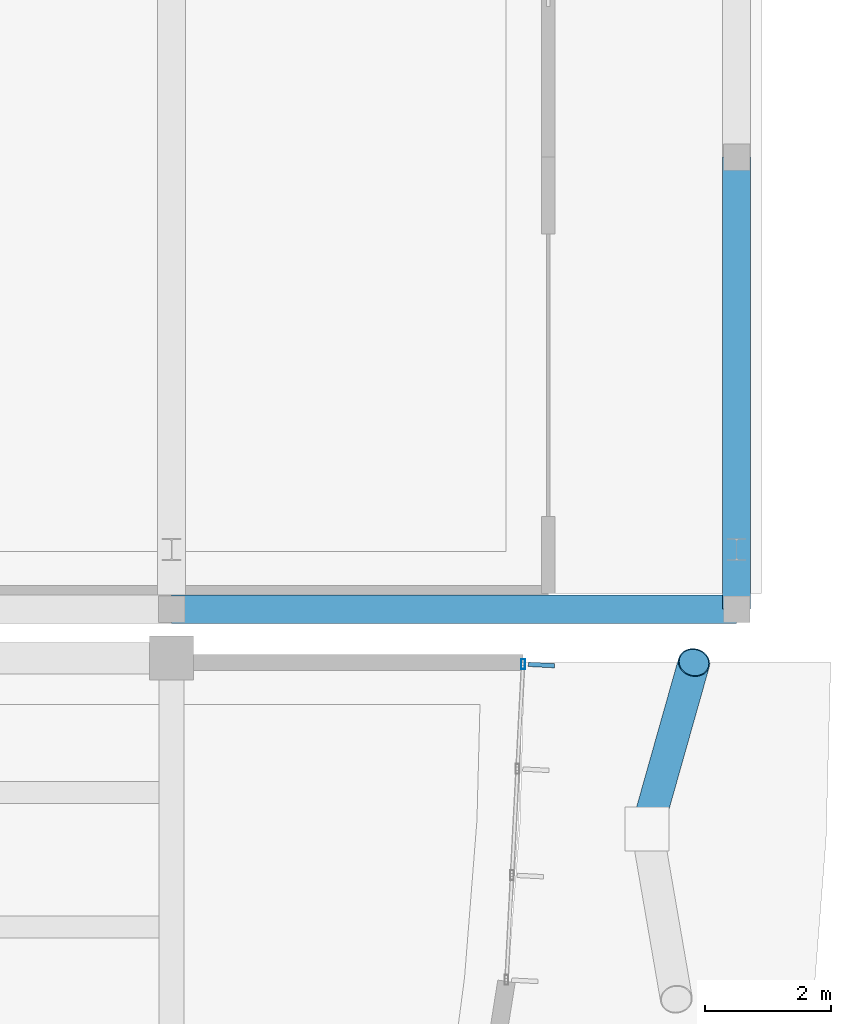
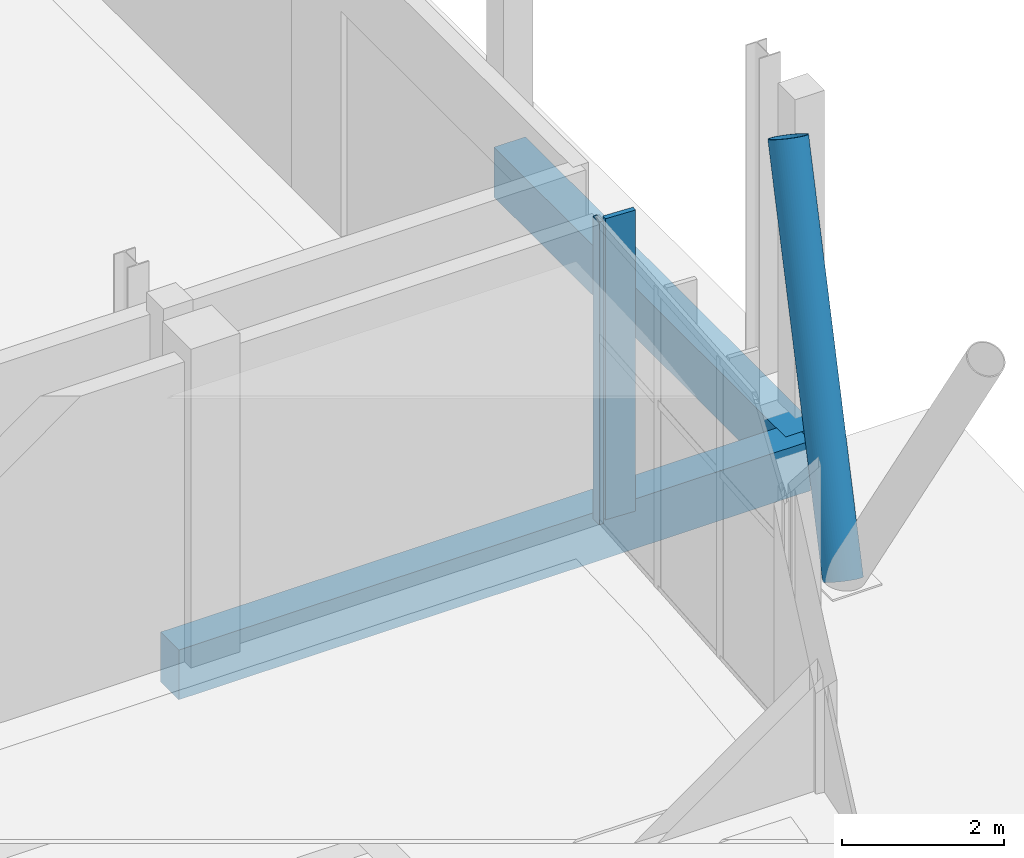
# One storey, part 86 of 151: 3 members, 2 beams, 1 element without a shape of its own.
"""IFC4 building model written with IfcOpenShell, lengths in metres."""

from ifc_helpers import new_model, si_unit, direction, frame, origin, origin_2d, place, context, subcontext, project, spatial, rectangle, hollow_rectangle, hollow_circle, extrude, material, material_profile, profile_set, type_object, element, aggregate, save


model = new_model("IFC4")

# Units and contexts
model_context = context("Model", 3, precision=1e-05, world=origin(), true_north=direction((0.0, 1.0)))
body_context = subcontext(model_context, "Body", "Model", "MODEL_VIEW")
ifc_project = project(units=[si_unit("LENGTHUNIT", "METRE"), si_unit("AREAUNIT", "SQUARE_METRE"), si_unit("VOLUMEUNIT", "CUBIC_METRE"), si_unit("PLANEANGLEUNIT", "RADIAN"), si_unit("MASSUNIT", "GRAM", prefix="KILO")], contexts=[model_context])

# Site, building, storey
site_placement = place(None, origin())
site = spatial("IfcSite", under=ifc_project, at=site_placement, CompositionType="ELEMENT")
building_placement = place(site_placement, origin())
building = spatial("IfcBuilding", under=site, at=building_placement, Name="Chiffa Square Polytechnic", CompositionType="ELEMENT")
storey_placement = place(building_placement, origin())
storey = spatial("IfcBuildingStorey", under=building, at=storey_placement, Name="L00", CompositionType="ELEMENT", Elevation=0.0)

# Member
ifc_material_1 = material(Name="Steel S355", Category="steel")
ifc_material_profile_1 = material_profile(ifc_material_1, hollow_circle(Radius=0.25390625, WallThickness=0.01611328125, at=origin_2d()), Name="CHS 508x16")
ifc_profile_set_1 = profile_set([ifc_material_profile_1], Name="Steel S355")
member_type_1 = type_object("IfcMemberType", Name="COL-VSTRUT-508", PredefinedType="STRUT", material=ifc_profile_set_1)
member_1_placement = place(storey_placement, frame((173.77197265625, 54.699951171875, 0.0), z_axis=(0.135350202441, 0.478887368806, 0.867379507884), x_axis=(-0.962302846171, 0.271980205624, 0.0)))
element("IfcMember", 1, at=member_1_placement, inside=storey, type_object=member_type_1, Name="Prow steel V-strut CV-V1-L00-09R", PredefinedType="STRUT", context=body_context, shape_type="SweptSolid", body=[
    extrude(hollow_circle(Radius=0.25390625, WallThickness=0.01611328125, at=origin_2d()), origin(), (0.0, 0.0, 1.0), 5.533935546875),
])

# Curtain wall, members
ifc_material_2 = material(Name="Aluminium EN AW-6060 T66 and glulam shading", Category="wood")
curtain_wall_type = type_object("IfcCurtainWallType", Name="CW-VERT-600X440", PredefinedType="USERDEFINED", material=ifc_material_2)
curtain_wall_placement = place(storey_placement, origin())
curtain_wall = element("IfcCurtainWall", 2, at=curtain_wall_placement, inside=storey, type_object=curtain_wall_type, Name="Curtain wall CW-V1-L00-009", ObjectType="CURTAIN WALL", PredefinedType="USERDEFINED")
ifc_material_3 = material(Name="Aluminium EN AW-6060 T66", Category="aluminium")
ifc_material_profile_2 = material_profile(ifc_material_3, hollow_rectangle(XDim=0.06005859375, YDim=0.159912109375, WallThickness=0.00390625, at=origin_2d()), Name="ALU 60x160x4")
ifc_profile_set_2 = profile_set([ifc_material_profile_2], Name="Aluminium EN AW-6060 T66")
member_type_2 = type_object("IfcMemberType", Name="CWM-ALU-65X150", PredefinedType="MULLION", material=ifc_profile_set_2)
member_2_placement = place(storey_placement, frame((171.799072265625, 57.324951171875, -0.02001953125), z_axis=(0.0, 0.0, 1.0), x_axis=(1.0, 0.0, 0.0)))
member_2 = element("IfcMember", 3, at=member_2_placement, type_object=member_type_2, Name="Curtain wall mullion CW-V1-L00-009-M03", PredefinedType="MULLION", context=body_context, shape_type="SweptSolid", body=[
    extrude(hollow_rectangle(XDim=0.06005859375, YDim=0.159912109375, WallThickness=0.00390625, at=origin_2d()), origin(), (0.0, 0.0, 1.0), 4.554931640625),
])
ifc_material_4 = material(Name="Glulam GL28h", Category="wood")
ifc_material_profile_3 = material_profile(ifc_material_4, rectangle(XDim=0.070068359375, YDim=0.419921875, at=origin_2d()), Name="GL28h 70x420")
ifc_profile_set_3 = profile_set([ifc_material_profile_3], Name="Glulam GL28h")
member_type_3 = type_object("IfcMemberType", Name="CWM-GL-70X420", PredefinedType="MULLION", material=ifc_profile_set_3)
member_3_placement = place(storey_placement, frame((172.091064453125, 57.31005859375, -0.010009765625), z_axis=(0.0, 0.0, 1.0), x_axis=(0.052283668051, 0.99863227369, 0.0)))
member_3 = element("IfcMember", 4, at=member_3_placement, type_object=member_type_3, Name="Exterior glulam solar fin CW-V1-L00-009-FN03", PredefinedType="MULLION", context=body_context, shape_type="SweptSolid", body=[
    extrude(rectangle(XDim=0.070068359375, YDim=0.419921875, at=origin_2d()), origin(), (0.0, 0.0, 1.0), 4.534912109375),
])
aggregate(curtain_wall, [member_2, member_3])

# Beams
ifc_material_5 = material(Name="Concrete C35/45", Category="concrete")
ifc_material_profile_4 = material_profile(ifc_material_5, rectangle(XDim=0.449951171875, YDim=0.75, at=origin_2d()), Name="RC 450x750")
ifc_profile_set_4 = profile_set([ifc_material_profile_4], Name="Concrete C35/45")
beam_type = type_object("IfcBeamType", Name="GB-RC-450X750", PredefinedType="BEAM", material=ifc_profile_set_4)
beam_1_placement = place(storey_placement, frame((166.199951171875, 58.199951171875, -0.77490234375), z_axis=(1.0, 0.0, 0.0), x_axis=(0.0, 1.0, 0.0)))
element("IfcBeam", 5, at=beam_1_placement, inside=storey, type_object=beam_type, Name="Ground tie beam GB-V2-X-007", PredefinedType="BEAM", context=body_context, shape_type="SweptSolid", body=[
    extrude(rectangle(XDim=0.449951171875, YDim=0.75, at=origin_2d()), origin(), (0.0, 0.0, 1.0), 9.0),
])
beam_2_placement = place(storey_placement, frame((175.199951171875, 58.199951171875, -0.77490234375), z_axis=(0.0, 1.0, 0.0), x_axis=(-1.0, 0.0, 0.0)))
element("IfcBeam", 6, at=beam_2_placement, inside=storey, type_object=beam_type, Name="Ground tie beam GB-V2-Y-039", PredefinedType="BEAM", context=body_context, shape_type="SweptSolid", body=[
    extrude(rectangle(XDim=0.449951171875, YDim=0.75, at=origin_2d()), origin(), (0.0, 0.0, 1.0), 7.199951171875),
])

save(model, "model.ifc")
